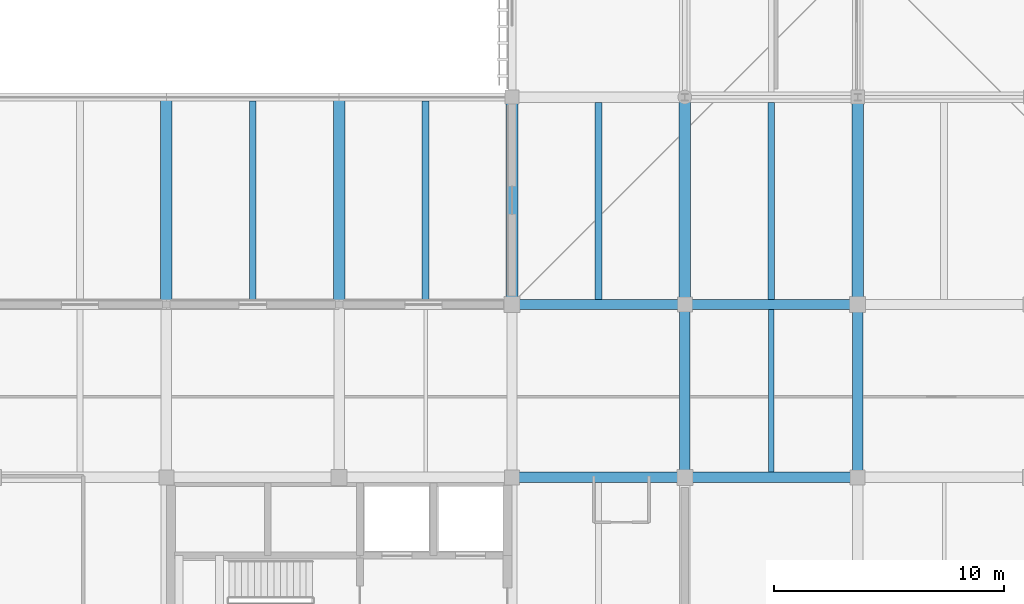
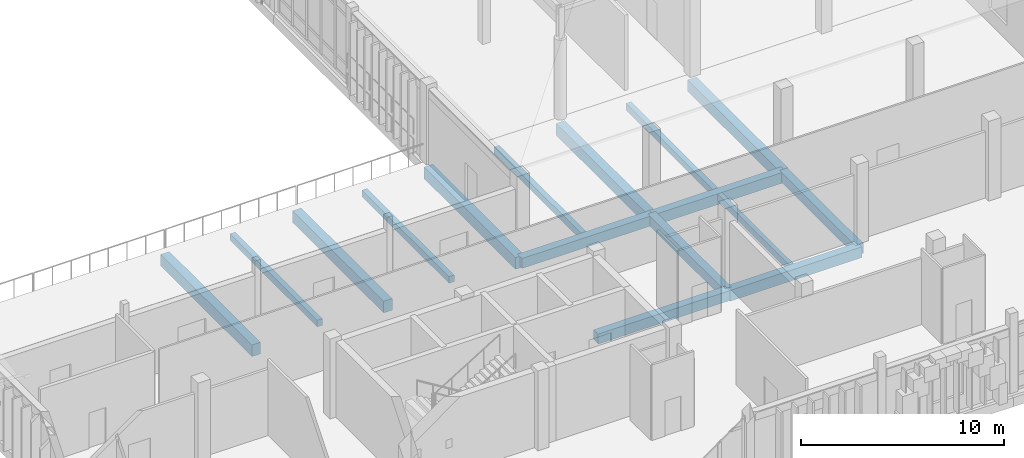
# One storey, part 64 of 131: 16 beams.
"""IFC4 building model written with IfcOpenShell, lengths in metres."""

from ifc_helpers import new_model, si_unit, direction, frame, origin, origin_2d, place, context, subcontext, project, spatial, rectangle, extrude, material, material_profile, profile_set, type_object, element, save


model = new_model("IFC4")

# Units and contexts
model_context = context("Model", 3, precision=1e-05, world=origin(), true_north=direction((0.0, 1.0)))
body_context = subcontext(model_context, "Body", "Model", "MODEL_VIEW")
ifc_project = project(units=[si_unit("LENGTHUNIT", "METRE"), si_unit("AREAUNIT", "SQUARE_METRE"), si_unit("VOLUMEUNIT", "CUBIC_METRE"), si_unit("PLANEANGLEUNIT", "RADIAN"), si_unit("MASSUNIT", "GRAM", prefix="KILO")], contexts=[model_context])

# Site, building, storey
site_placement = place(None, origin())
site = spatial("IfcSite", under=ifc_project, at=site_placement, CompositionType="ELEMENT")
building_placement = place(site_placement, origin())
building = spatial("IfcBuilding", under=site, at=building_placement, Name="Dalvernix Boulevard General Hospital", CompositionType="ELEMENT")
storey_placement = place(building_placement, frame((0.0, 0.0, 9.300048828125)))
storey = spatial("IfcBuildingStorey", under=building, at=storey_placement, Name="L02", CompositionType="ELEMENT", Elevation=9.300048828125)

# Beams
ifc_material = material(Name="Concrete C35/45", Category="concrete")
ifc_material_profile_1 = material_profile(ifc_material, rectangle(XDim=0.5, YDim=0.699951171875, at=origin_2d()), Name="RCB 500x700")
ifc_profile_set_1 = profile_set([ifc_material_profile_1], Name="Concrete C35/45")
beam_type_1 = type_object("IfcBeamType", Name="BM-B-01-I", PredefinedType="BEAM", material=ifc_profile_set_1)
for number, where, z_axis, x_axis, name in (
    (1, (127.5, 22.5, -0.670166015625), (0.0, 1.0, 0.0), (-1.0, 0.0, 0.0), "L02 N-S girder 18:D-E"),
    (2, (135.0, 22.5, -0.670166015625), (0.0, 1.0, 0.0), (-1.0, 0.0, 0.0), "L02 N-S girder 19:D-E"),
    (3, (142.5, 22.5, -0.670166015625), (0.0, 1.0, 0.0), (-1.0, 0.0, 0.0), "L02 N-S girder 20:D-E"),
    (4, (150.0, 22.5, -0.670166015625), (0.0, 1.0, 0.0), (-1.0, 0.0, 0.0), "L02 N-S girder 21:D-E"),
    (5, (157.5, 22.5, -0.670166015625), (0.0, 1.0, 0.0), (-1.0, 0.0, 0.0), "L02 N-S girder 22:D-E"),
):
    element("IfcBeam", number, at=place(storey_placement, frame(where, z_axis=z_axis, x_axis=x_axis)), inside=storey, type_object=beam_type_1, Name=name, PredefinedType="BEAM", context=body_context, shape_type="SweptSolid", body=[
        extrude(rectangle(XDim=0.5, YDim=0.699951171875, at=origin_2d()), origin(), (0.0, 0.0, 1.0), 9.0),
    ])
ifc_material_profile_2 = material_profile(ifc_material, rectangle(XDim=0.449951171875, YDim=0.64990234375, at=origin_2d()), Name="RCB 450x650")
ifc_profile_set_2 = profile_set([ifc_material_profile_2], Name="Concrete C35/45")
beam_type_2 = type_object("IfcBeamType", Name="BM-B-03-I", PredefinedType="BEAM", material=ifc_profile_set_2)
for number, where, z_axis, x_axis, name in (
    (6, (150.0, 15.0, -0.64501953125), (1.0, 0.0, 0.0), (0.0, 1.0, 0.0), "L02 E-W girder C:21-22"),
    (7, (150.0, 22.5, -0.64501953125), (1.0, 0.0, 0.0), (0.0, 1.0, 0.0), "L02 E-W girder D:21-22"),
):
    element("IfcBeam", number, at=place(storey_placement, frame(where, z_axis=z_axis, x_axis=x_axis)), inside=storey, type_object=beam_type_2, Name=name, PredefinedType="BEAM", context=body_context, shape_type="SweptSolid", body=[
        extrude(rectangle(XDim=0.449951171875, YDim=0.64990234375, at=origin_2d()), origin(), (0.0, 0.0, 1.0), 7.5),
    ])
ifc_material_profile_3 = material_profile(ifc_material, rectangle(XDim=0.449951171875, YDim=0.60009765625, at=origin_2d()), Name="RCB 450x600")
ifc_profile_set_3 = profile_set([ifc_material_profile_3], Name="Concrete C35/45")
beam_type_3 = type_object("IfcBeamType", Name="BM-B-04-I", PredefinedType="BEAM", material=ifc_profile_set_3)
for number, where, z_axis, x_axis, name in (
    (8, (142.5, 15.0, -0.6201171875), (1.0, 0.0, 0.0), (0.0, 1.0, 0.0), "L02 E-W girder C:20-21"),
    (9, (142.5, 22.5, -0.6201171875), (1.0, 0.0, 0.0), (0.0, 1.0, 0.0), "L02 E-W girder D:20-21"),
    (10, (150.0, 15.0, -0.6201171875), (0.0, 1.0, 0.0), (-1.0, 0.0, 0.0), "L02 N-S girder 21:C-D"),
    (11, (157.5, 15.0, -0.6201171875), (0.0, 1.0, 0.0), (-1.0, 0.0, 0.0), "L02 N-S girder 22:C-D"),
):
    element("IfcBeam", number, at=place(storey_placement, frame(where, z_axis=z_axis, x_axis=x_axis)), inside=storey, type_object=beam_type_3, Name=name, PredefinedType="BEAM", context=body_context, shape_type="SweptSolid", body=[
        extrude(rectangle(XDim=0.449951171875, YDim=0.60009765625, at=origin_2d()), origin(), (0.0, 0.0, 1.0), 7.5),
    ])
ifc_material_profile_4 = material_profile(ifc_material, rectangle(XDim=0.300048828125, YDim=0.39990234375, at=origin_2d()), Name="RCB 300x400")
ifc_profile_set_4 = profile_set([ifc_material_profile_4], Name="Concrete C35/45")
beam_type_4 = type_object("IfcBeamType", Name="BM-JB-01", PredefinedType="JOIST", material=ifc_profile_set_4)
for number, where, z_axis, x_axis, name in (
    (12, (131.25, 22.72509765625, -0.52001953125), (0.0, 1.0, 0.0), (-1.0, 0.0, 0.0), "L02 secondary floor beam 18-D"),
    (13, (138.75, 22.72509765625, -0.52001953125), (0.0, 1.0, 0.0), (-1.0, 0.0, 0.0), "L02 secondary floor beam 19-D"),
):
    element("IfcBeam", number, at=place(storey_placement, frame(where, z_axis=z_axis, x_axis=x_axis)), inside=storey, type_object=beam_type_4, Name=name, PredefinedType="JOIST", context=body_context, shape_type="SweptSolid", body=[
        extrude(rectangle(XDim=0.300048828125, YDim=0.39990234375, at=origin_2d()), origin(), (0.0, 0.0, 1.0), 8.599853515625),
    ])
for number, where, z_axis, x_axis, name in (
    (14, (146.25, 22.72509765625, -0.52001953125), (0.0, 1.0, 0.0), (-1.0, 0.0, 0.0), "L02 secondary floor beam 20-D"),
    (15, (153.75, 22.72509765625, -0.52001953125), (0.0, 1.0, 0.0), (-1.0, 0.0, 0.0), "L02 secondary floor beam 21-D"),
):
    element("IfcBeam", number, at=place(storey_placement, frame(where, z_axis=z_axis, x_axis=x_axis)), inside=storey, type_object=beam_type_4, Name=name, PredefinedType="JOIST", context=body_context, shape_type="SweptSolid", body=[
        extrude(rectangle(XDim=0.300048828125, YDim=0.39990234375, at=origin_2d()), origin(), (0.0, 0.0, 1.0), 8.5498046875),
    ])
ifc_material_profile_5 = material_profile(ifc_material, rectangle(XDim=0.25, YDim=0.39990234375, at=origin_2d()), Name="RCB 250x400")
ifc_profile_set_5 = profile_set([ifc_material_profile_5], Name="Concrete C35/45")
beam_type_5 = type_object("IfcBeamType", Name="BM-JB-02", PredefinedType="JOIST", material=ifc_profile_set_5)
beam_placement = place(storey_placement, frame((153.75, 15.22509765625, -0.52001953125), z_axis=(0.0, 1.0, 0.0), x_axis=(-1.0, 0.0, 0.0)))
element("IfcBeam", 16, at=beam_placement, inside=storey, type_object=beam_type_5, Name="L02 secondary floor beam 21-C", PredefinedType="JOIST", context=body_context, shape_type="SweptSolid", body=[
    extrude(rectangle(XDim=0.25, YDim=0.39990234375, at=origin_2d()), origin(), (0.0, 0.0, 1.0), 7.0498046875),
])

save(model, "model.ifc")
